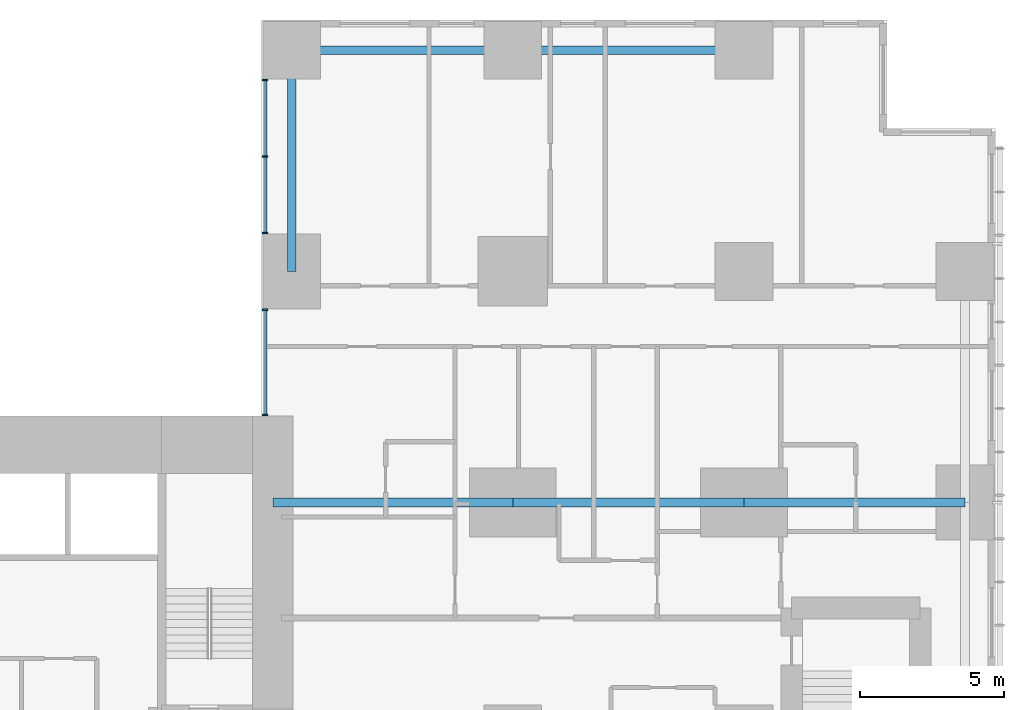
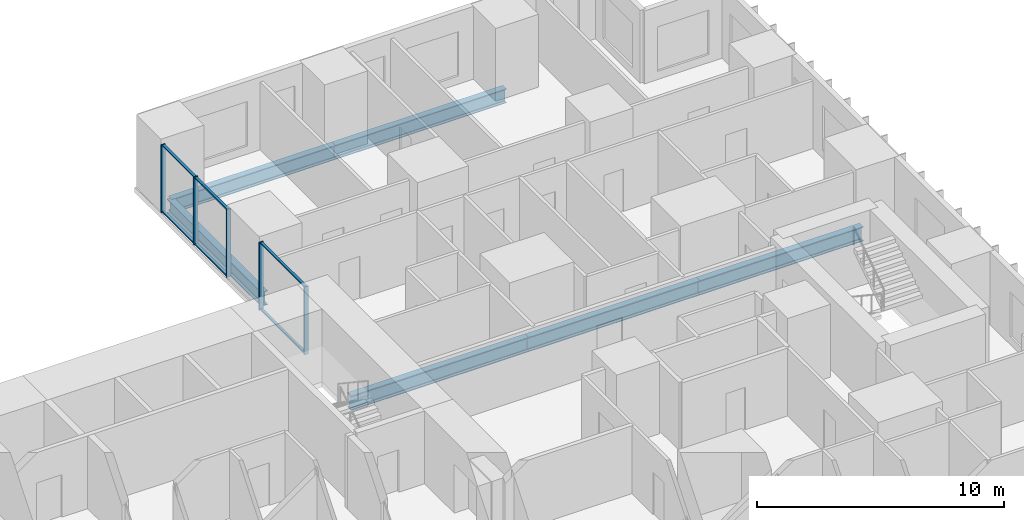
# One storey, part 5 of 20: 11 members, 6 beams, 2 elements without a shape of their own.
"""IFC4 building model written with IfcOpenShell, lengths in metres."""

from ifc_helpers import new_model, si_unit, direction, frame, origin, origin_2d, place, context, subcontext, project, spatial, rectangle, i_section, extrude, material, layer, layer_set, material_profile, profile_set, type_object, element, aggregate, save


model = new_model("IFC4")

# Units and contexts
model_context = context("Model", 3, precision=1e-05, world=origin(), true_north=direction((0.0, 1.0)))
body_context = subcontext(model_context, "Body", "Model", "MODEL_VIEW")
ifc_project = project(units=[si_unit("LENGTHUNIT", "METRE"), si_unit("AREAUNIT", "SQUARE_METRE"), si_unit("VOLUMEUNIT", "CUBIC_METRE"), si_unit("PLANEANGLEUNIT", "RADIAN"), si_unit("MASSUNIT", "GRAM", prefix="KILO")], contexts=[model_context])

# Site, building, storey
site_placement = place(None, origin())
site = spatial("IfcSite", under=ifc_project, at=site_placement, CompositionType="ELEMENT")
building_placement = place(site_placement, origin())
building = spatial("IfcBuilding", under=site, at=building_placement, Name="Cleftline Residences", CompositionType="ELEMENT")
storey_placement = place(building_placement, frame((0.0, 0.0, 103.39990234375)))
storey = spatial("IfcBuildingStorey", under=building, at=storey_placement, Name="L26", CompositionType="ELEMENT", Elevation=103.39990234375)

# Beams
ifc_material_1 = material(Name="Steel S355", Category="steel")
ifc_material_profile_1 = material_profile(ifc_material_1, i_section(OverallWidth=0.300048828125, OverallDepth=0.699951171875, WebThickness=0.01708984375, FlangeThickness=0.031982421875, FilletRadius=0.027099609375, at=origin_2d()))
ifc_profile_set_1 = profile_set([ifc_material_profile_1], Name="Steel S355")
beam_type_1 = type_object("IfcBeamType", Name="BEAM HEB 700", PredefinedType="BEAM", material=ifc_profile_set_1)
beam_1_placement = place(storey_placement, frame((58.0, 47.64990234375, -0.599853515625), z_axis=(-1.0, 0.0, 0.0), x_axis=(0.0, -1.0, 0.0)))
element("IfcBeam", 1, at=beam_1_placement, inside=storey, type_object=beam_type_1, Name="Edge beam", PredefinedType="BEAM", context=body_context, shape_type="SweptSolid", body=[
    extrude(i_section(OverallWidth=0.300048828125, OverallDepth=0.699951171875, WebThickness=0.01708984375, FlangeThickness=0.031982421875, FilletRadius=0.027099609375, at=origin_2d()), origin(), (0.0, 0.0, 1.0), 8.0),
])
for number, where, z_axis, x_axis, name in (
    (2, (50.0, 47.64990234375, -0.599853515625), (-1.0, 0.0, 0.0), (0.0, -1.0, 0.0), "Edge beam"),
    (3, (42.35009765625, 47.64990234375, -0.599853515625), (0.0, -1.0, 0.0), (1.0, 0.0, 0.0), "Edge beam"),
):
    element("IfcBeam", number, at=place(storey_placement, frame(where, z_axis=z_axis, x_axis=x_axis)), inside=storey, type_object=beam_type_1, Name=name, PredefinedType="BEAM", context=body_context, shape_type="SweptSolid", body=[
        extrude(i_section(OverallWidth=0.300048828125, OverallDepth=0.699951171875, WebThickness=0.01708984375, FlangeThickness=0.031982421875, FilletRadius=0.027099609375, at=origin_2d()), origin(), (0.0, 0.0, 1.0), 7.64990234375),
    ])
ifc_material_2 = material(Name="Steel S355", Category="steel")
ifc_material_profile_2 = material_profile(ifc_material_2, i_section(OverallWidth=0.303955078125, OverallDepth=0.716064453125, WebThickness=0.02099609375, FlangeThickness=0.0400390625, FilletRadius=0.027099609375, at=origin_2d()))
ifc_profile_set_2 = profile_set([ifc_material_profile_2], Name="Steel S355")
beam_type_2 = type_object("IfcBeamType", Name="BEAM HEM 700", PredefinedType="BEAM", material=ifc_profile_set_2)
beam_2_placement = place(storey_placement, frame((65.64990234375, 32.0, -0.60791015625), z_axis=(-1.0, 0.0, 0.0), x_axis=(0.0, -1.0, 0.0)))
element("IfcBeam", 4, at=beam_2_placement, inside=storey, type_object=beam_type_2, Name="Band beam", PredefinedType="BEAM", context=body_context, shape_type="SweptSolid", body=[
    extrude(i_section(OverallWidth=0.303955078125, OverallDepth=0.716064453125, WebThickness=0.02099609375, FlangeThickness=0.0400390625, FilletRadius=0.027099609375, at=origin_2d()), origin(), (0.0, 0.0, 1.0), 7.64990234375),
])
beam_3_placement = place(storey_placement, frame((58.0, 32.0, -0.60791015625), z_axis=(-1.0, 0.0, 0.0), x_axis=(0.0, -1.0, 0.0)))
element("IfcBeam", 5, at=beam_3_placement, inside=storey, type_object=beam_type_2, Name="Band beam", PredefinedType="BEAM", context=body_context, shape_type="SweptSolid", body=[
    extrude(i_section(OverallWidth=0.303955078125, OverallDepth=0.716064453125, WebThickness=0.02099609375, FlangeThickness=0.0400390625, FilletRadius=0.027099609375, at=origin_2d()), origin(), (0.0, 0.0, 1.0), 8.0),
])
beam_4_placement = place(storey_placement, frame((50.0, 32.0, -0.60791015625), z_axis=(-1.0, 0.0, 0.0), x_axis=(0.0, -1.0, 0.0)))
element("IfcBeam", 6, at=beam_4_placement, inside=storey, type_object=beam_type_2, Name="Band beam", PredefinedType="BEAM", context=body_context, shape_type="SweptSolid", body=[
    extrude(i_section(OverallWidth=0.303955078125, OverallDepth=0.716064453125, WebThickness=0.02099609375, FlangeThickness=0.0400390625, FilletRadius=0.027099609375, at=origin_2d()), origin(), (0.0, 0.0, 1.0), 8.300048828125),
])

# Curtain wall, members
ifc_material_3 = material(Name="Aluminium framed curtain wall", Category="aluminium")
ifc_layer = layer(ifc_material_3, 0.199951171875)
ifc_layer_set = layer_set([ifc_layer], Name="CW1 CLEFT GLAZING")
curtain_wall_type = type_object("IfcCurtainWallType", Name="CW1 CLEFT GLAZING", PredefinedType="NOTDEFINED", material=ifc_layer_set)
curtain_wall_1_placement = place(storey_placement, origin())
curtain_wall_1 = element("IfcCurtainWall", 7, at=curtain_wall_1_placement, inside=storey, type_object=curtain_wall_type, Name="Curtain wall CW1", PredefinedType="NOTDEFINED")
ifc_material_4 = material(Name="Aluminium mullion", Category="aluminium")
ifc_material_profile_3 = material_profile(ifc_material_4, rectangle(XDim=0.199951171875, YDim=0.06005859375, at=origin_2d()))
ifc_profile_set_3 = profile_set([ifc_material_profile_3], Name="Aluminium mullion")
member_type_1 = type_object("IfcMemberType", Name="CW1 MULLION", PredefinedType="MULLION", material=ifc_profile_set_3)
member_1_placement = place(storey_placement, frame((41.425048828125, 46.6201171875, 0.0), z_axis=(0.0, 0.0, 1.0), x_axis=(1.0, 0.0, 0.0)))
member_1 = element("IfcMember", 8, at=member_1_placement, type_object=member_type_1, Name="CW1 mullion 1", PredefinedType="MULLION", context=body_context, shape_type="SweptSolid", body=[
    extrude(rectangle(XDim=0.199951171875, YDim=0.06005859375, at=origin_2d()), origin(), (0.0, 0.0, 1.0), 3.35009765625),
])
member_2_placement = place(storey_placement, frame((41.425048828125, 43.97509765625, 0.0), z_axis=(0.0, 0.0, 1.0), x_axis=(1.0, 0.0, 0.0)))
member_2 = element("IfcMember", 9, at=member_2_placement, type_object=member_type_1, Name="CW1 mullion 2", PredefinedType="MULLION", context=body_context, shape_type="SweptSolid", body=[
    extrude(rectangle(XDim=0.199951171875, YDim=0.06005859375, at=origin_2d()), origin(), (0.0, 0.0, 1.0), 3.35009765625),
])
member_3_placement = place(storey_placement, frame((41.425048828125, 41.330078125, 0.0), z_axis=(0.0, 0.0, 1.0), x_axis=(1.0, 0.0, 0.0)))
member_3 = element("IfcMember", 10, at=member_3_placement, type_object=member_type_1, Name="CW1 mullion 3", PredefinedType="MULLION", context=body_context, shape_type="SweptSolid", body=[
    extrude(rectangle(XDim=0.199951171875, YDim=0.06005859375, at=origin_2d()), origin(), (0.0, 0.0, 1.0), 3.35009765625),
])

curtain_wall_2_placement = place(storey_placement, origin())
curtain_wall_2 = element("IfcCurtainWall", 11, at=curtain_wall_2_placement, inside=storey, type_object=curtain_wall_type, Name="Curtain wall CW1", PredefinedType="NOTDEFINED")
member_4_placement = place(storey_placement, frame((41.425048828125, 38.669921875, 0.0), z_axis=(0.0, 0.0, 1.0), x_axis=(1.0, 0.0, 0.0)))
member_4 = element("IfcMember", 12, at=member_4_placement, type_object=member_type_1, Name="CW1 mullion 1", PredefinedType="MULLION", context=body_context, shape_type="SweptSolid", body=[
    extrude(rectangle(XDim=0.199951171875, YDim=0.06005859375, at=origin_2d()), origin(), (0.0, 0.0, 1.0), 3.35009765625),
])
member_5_placement = place(storey_placement, frame((41.425048828125, 35.030029296875, 0.0), z_axis=(0.0, 0.0, 1.0), x_axis=(1.0, 0.0, 0.0)))
member_5 = element("IfcMember", 13, at=member_5_placement, type_object=member_type_1, Name="CW1 mullion 2", PredefinedType="MULLION", context=body_context, shape_type="SweptSolid", body=[
    extrude(rectangle(XDim=0.199951171875, YDim=0.06005859375, at=origin_2d()), origin(), (0.0, 0.0, 1.0), 3.35009765625),
])

# Member
ifc_material_5 = material(Name="Aluminium transom", Category="aluminium")
ifc_material_profile_4 = material_profile(ifc_material_5, rectangle(XDim=0.1201171875, YDim=0.06005859375, at=origin_2d()))
ifc_profile_set_4 = profile_set([ifc_material_profile_4], Name="Aluminium transom")
member_type_2 = type_object("IfcMemberType", Name="CW1 TRANSOM", PredefinedType="USERDEFINED", material=ifc_profile_set_4)
member_6_placement = place(storey_placement, frame((41.425048828125, 46.590087890625, 0.030029296875), z_axis=(0.0, -1.0, 0.0), x_axis=(1.0, 0.0, 0.0)))
member_6 = element("IfcMember", 14, at=member_6_placement, type_object=member_type_2, Name="CW1 transom 1.1", ObjectType="TRANSOM", PredefinedType="USERDEFINED", context=body_context, shape_type="SweptSolid", body=[
    extrude(rectangle(XDim=0.1201171875, YDim=0.06005859375, at=origin_2d()), origin(), (0.0, 0.0, 1.0), 2.585205078125),
])

member_7_placement = place(storey_placement, frame((41.425048828125, 46.590087890625, 3.320068359375), z_axis=(0.0, -1.0, 0.0), x_axis=(1.0, 0.0, 0.0)))
member_7 = element("IfcMember", 15, at=member_7_placement, type_object=member_type_2, Name="CW1 transom 1.2", ObjectType="TRANSOM", PredefinedType="USERDEFINED", context=body_context, shape_type="SweptSolid", body=[
    extrude(rectangle(XDim=0.1201171875, YDim=0.06005859375, at=origin_2d()), origin(), (0.0, 0.0, 1.0), 2.585205078125),
])

member_8_placement = place(storey_placement, frame((41.425048828125, 43.945068359375, 0.030029296875), z_axis=(0.0, -1.0, 0.0), x_axis=(1.0, 0.0, 0.0)))
member_8 = element("IfcMember", 16, at=member_8_placement, type_object=member_type_2, Name="CW1 transom 2.1", ObjectType="TRANSOM", PredefinedType="USERDEFINED", context=body_context, shape_type="SweptSolid", body=[
    extrude(rectangle(XDim=0.1201171875, YDim=0.06005859375, at=origin_2d()), origin(), (0.0, 0.0, 1.0), 2.5849609375),
])

member_9_placement = place(storey_placement, frame((41.425048828125, 43.945068359375, 3.320068359375), z_axis=(0.0, -1.0, 0.0), x_axis=(1.0, 0.0, 0.0)))
member_9 = element("IfcMember", 17, at=member_9_placement, type_object=member_type_2, Name="CW1 transom 2.2", ObjectType="TRANSOM", PredefinedType="USERDEFINED", context=body_context, shape_type="SweptSolid", body=[
    extrude(rectangle(XDim=0.1201171875, YDim=0.06005859375, at=origin_2d()), origin(), (0.0, 0.0, 1.0), 2.5849609375),
])

aggregate(curtain_wall_1, [member_1, member_2, member_3, member_6, member_7, member_8, member_9])

member_10_placement = place(storey_placement, frame((41.425048828125, 38.639892578125, 0.030029296875), z_axis=(0.0, -1.0, 0.0), x_axis=(1.0, 0.0, 0.0)))
member_10 = element("IfcMember", 18, at=member_10_placement, type_object=member_type_2, Name="CW1 transom 1.1", ObjectType="TRANSOM", PredefinedType="USERDEFINED", context=body_context, shape_type="SweptSolid", body=[
    extrude(rectangle(XDim=0.1201171875, YDim=0.06005859375, at=origin_2d()), origin(), (0.0, 0.0, 1.0), 3.579833984375),
])

member_11_placement = place(storey_placement, frame((41.425048828125, 38.639892578125, 3.320068359375), z_axis=(0.0, -1.0, 0.0), x_axis=(1.0, 0.0, 0.0)))
member_11 = element("IfcMember", 19, at=member_11_placement, type_object=member_type_2, Name="CW1 transom 1.2", ObjectType="TRANSOM", PredefinedType="USERDEFINED", context=body_context, shape_type="SweptSolid", body=[
    extrude(rectangle(XDim=0.1201171875, YDim=0.06005859375, at=origin_2d()), origin(), (0.0, 0.0, 1.0), 3.579833984375),
])

aggregate(curtain_wall_2, [member_4, member_5, member_10, member_11])

save(model, "model.ifc")
